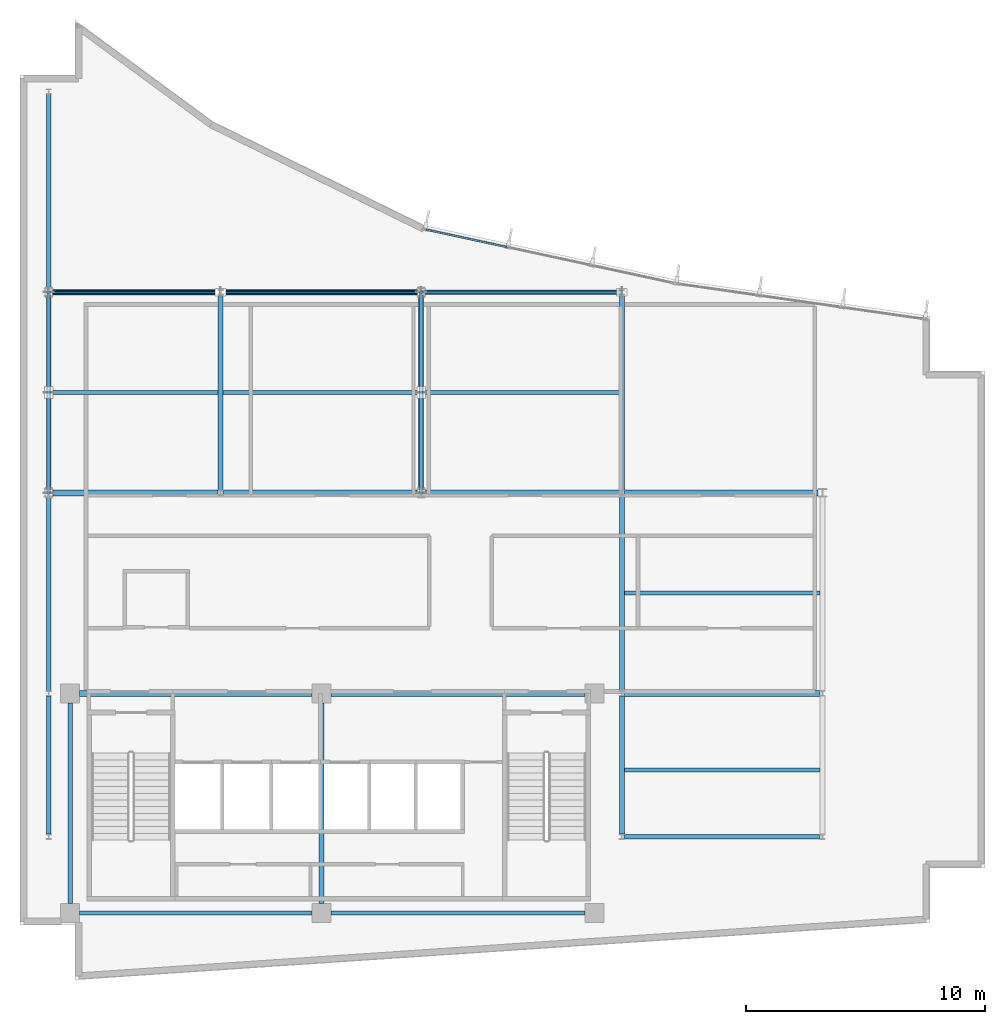
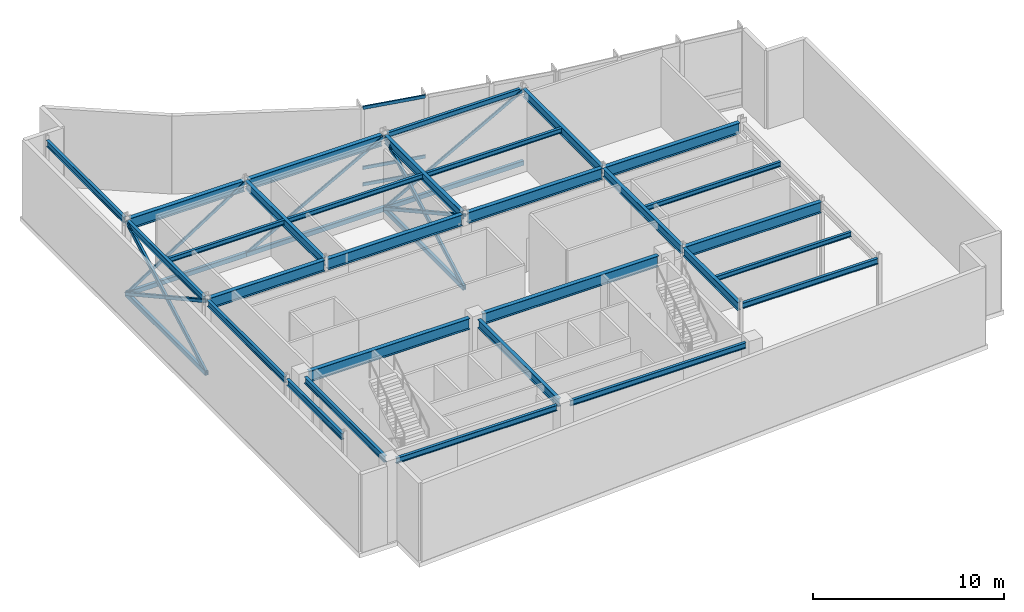
# One storey, part 5 of 14: 29 beams, 17 members, 1 element without a shape of its own.
"""IFC4 building model written with IfcOpenShell, lengths in metres."""

from ifc_helpers import new_model, si_unit, direction, frame, origin, origin_2d, place, context, subcontext, project, spatial, hollow_rectangle, i_section, extrude, material, layer, layer_set, material_profile, profile_set, type_object, element, aggregate, save


model = new_model("IFC4")

# Units and contexts
model_context = context("Model", 3, precision=1e-05, world=origin(), true_north=direction((0.0, 1.0)))
body_context = subcontext(model_context, "Body", "Model", "MODEL_VIEW")
ifc_project = project(units=[si_unit("LENGTHUNIT", "METRE"), si_unit("AREAUNIT", "SQUARE_METRE"), si_unit("VOLUMEUNIT", "CUBIC_METRE"), si_unit("PLANEANGLEUNIT", "RADIAN"), si_unit("MASSUNIT", "GRAM", prefix="KILO")], contexts=[model_context])

# Site, building, storey
site_placement = place(None, origin())
site = spatial("IfcSite", under=ifc_project, at=site_placement, CompositionType="ELEMENT")
building_placement = place(site_placement, origin())
building = spatial("IfcBuilding", under=site, at=building_placement, Name="Varnakote Quay Hospital", CompositionType="ELEMENT")
storey_placement = place(building_placement, frame((0.0, 0.0, 303.949951171875)))
storey = spatial("IfcBuildingStorey", under=building, at=storey_placement, Name="L75", CompositionType="ELEMENT", Elevation=303.949951171875)

# Beams
ifc_material_1 = material(Name="Structural steel AS/NZS 3679.1 Grade 350 L0 (fy 340 MPa)", Category="steel")
ifc_material_profile_1 = material_profile(ifc_material_1, i_section(OverallWidth=0.208984375, OverallDepth=0.528076171875, WebThickness=0.009521484375, FlangeThickness=0.01318359375, FilletRadius=0.013916015625, at=origin_2d()), Name="530UB82.0")
ifc_profile_set_1 = profile_set([ifc_material_profile_1], Name="Structural steel AS/NZS 3679.1 Grade 350 L0 (fy 340 MPa)")
beam_type_1 = type_object("IfcBeamType", Name="BM-STL-530UB82-0", PredefinedType="BEAM", material=ifc_profile_set_1)
beam_1_placement = place(storey_placement, frame((8.39990234375, 20.5048828125, 4.72607421875), z_axis=(0.0, 1.0, 0.0), x_axis=(-1.0, 0.0, 0.0)))
element("IfcBeam", 1, at=beam_1_placement, inside=storey, type_object=beam_type_1, Name="L75 Primary Tie Beam", PredefinedType="BEAM", context=body_context, shape_type="SweptSolid", body=[
    extrude(i_section(OverallWidth=0.208984375, OverallDepth=0.528076171875, WebThickness=0.009521484375, FlangeThickness=0.01318359375, FilletRadius=0.013916015625, at=origin_2d()), origin(), (0.0, 0.0, 1.0), 8.190185546875),
])
beam_2_placement = place(storey_placement, frame((12.6201171875, 3.199951171875, 4.72607421875), z_axis=(0.0, 1.0, 0.0), x_axis=(-1.0, 0.0, 0.0)))
element("IfcBeam", 2, at=beam_2_placement, inside=storey, type_object=beam_type_1, Name="L75 Primary Tie Beam", PredefinedType="BEAM", context=body_context, shape_type="SweptSolid", body=[
    extrude(i_section(OverallWidth=0.208984375, OverallDepth=0.528076171875, WebThickness=0.009521484375, FlangeThickness=0.01318359375, FilletRadius=0.013916015625, at=origin_2d()), origin(), (0.0, 0.0, 1.0), 8.400146484375),
])
beam_3_placement = place(storey_placement, frame((16.800048828125, 20.570068359375, 4.72607421875), z_axis=(0.0, 1.0, 0.0), x_axis=(-1.0, 0.0, 0.0)))
element("IfcBeam", 3, at=beam_3_placement, inside=storey, type_object=beam_type_1, Name="L75 Primary Tie Beam", PredefinedType="BEAM", context=body_context, shape_type="SweptSolid", body=[
    extrude(i_section(OverallWidth=0.208984375, OverallDepth=0.528076171875, WebThickness=0.009521484375, FlangeThickness=0.01318359375, FilletRadius=0.013916015625, at=origin_2d()), origin(), (0.0, 0.0, 1.0), 8.059814453125),
])
beam_4_placement = place(storey_placement, frame((25.199951171875, 6.10498046875, 4.72607421875), z_axis=(0.0, 1.0, 0.0), x_axis=(-1.0, 0.0, 0.0)))
element("IfcBeam", 4, at=beam_4_placement, inside=storey, type_object=beam_type_1, Name="L75 Primary Tie Beam", PredefinedType="BEAM", context=body_context, shape_type="SweptSolid", body=[
    extrude(i_section(OverallWidth=0.208984375, OverallDepth=0.528076171875, WebThickness=0.009521484375, FlangeThickness=0.01318359375, FilletRadius=0.013916015625, at=origin_2d()), origin(), (0.0, 0.0, 1.0), 5.7900390625),
])
beam_5_placement = place(storey_placement, frame((25.199951171875, 12.10498046875, 4.72607421875), z_axis=(0.0, 1.0, 0.0), x_axis=(-1.0, 0.0, 0.0)))
element("IfcBeam", 5, at=beam_5_placement, inside=storey, type_object=beam_type_1, Name="L75 Primary Tie Beam", PredefinedType="BEAM", context=body_context, shape_type="SweptSolid", body=[
    extrude(i_section(OverallWidth=0.208984375, OverallDepth=0.528076171875, WebThickness=0.009521484375, FlangeThickness=0.01318359375, FilletRadius=0.013916015625, at=origin_2d()), origin(), (0.0, 0.0, 1.0), 8.18994140625),
])
beam_6_placement = place(storey_placement, frame((25.199951171875, 20.5048828125, 4.72607421875), z_axis=(0.0, 1.0, 0.0), x_axis=(-1.0, 0.0, 0.0)))
element("IfcBeam", 6, at=beam_6_placement, inside=storey, type_object=beam_type_1, Name="L75 Primary Tie Beam", PredefinedType="BEAM", context=body_context, shape_type="SweptSolid", body=[
    extrude(i_section(OverallWidth=0.208984375, OverallDepth=0.528076171875, WebThickness=0.009521484375, FlangeThickness=0.01318359375, FilletRadius=0.013916015625, at=origin_2d()), origin(), (0.0, 0.0, 1.0), 8.190185546875),
])
ifc_material_2 = material(Name="Structural steel AS/NZS 3678 Grade 350 (fy 340 MPa)", Category="steel")
ifc_material_profile_2 = material_profile(ifc_material_2, i_section(OverallWidth=0.25, OverallDepth=0.699951171875, WebThickness=0.010009765625, FlangeThickness=0.02001953125, at=origin_2d()), Name="700WB130")
ifc_profile_set_2 = profile_set([ifc_material_profile_2], Name="Structural steel AS/NZS 3678 Grade 350 (fy 340 MPa)")
beam_type_2 = type_object("IfcBeamType", Name="BM-STL-700WB130", PredefinedType="BEAM", material=ifc_profile_set_2)
beam_7_placement = place(storey_placement, frame((2.5, 12.0, 4.64013671875), z_axis=(1.0, 0.0, 0.0), x_axis=(0.0, 1.0, 0.0)))
element("IfcBeam", 7, at=beam_7_placement, inside=storey, type_object=beam_type_2, Name="L75 Primary Floor Beam", PredefinedType="BEAM", context=body_context, shape_type="SweptSolid", body=[
    extrude(i_section(OverallWidth=0.25, OverallDepth=0.699951171875, WebThickness=0.010009765625, FlangeThickness=0.02001953125, at=origin_2d()), origin(), (0.0, 0.0, 1.0), 9.719970703125),
])
beam_8_placement = place(storey_placement, frame((13.02001953125, 12.0, 4.64013671875), z_axis=(1.0, 0.0, 0.0), x_axis=(0.0, 1.0, 0.0)))
element("IfcBeam", 8, at=beam_8_placement, inside=storey, type_object=beam_type_2, Name="L75 Primary Floor Beam", PredefinedType="BEAM", context=body_context, shape_type="SweptSolid", body=[
    extrude(i_section(OverallWidth=0.25, OverallDepth=0.699951171875, WebThickness=0.010009765625, FlangeThickness=0.02001953125, at=origin_2d()), origin(), (0.0, 0.0, 1.0), 10.6298828125),
])
beam_9_placement = place(storey_placement, frame((25.302490234375, 12.0, 4.64013671875), z_axis=(1.0, 0.0, 0.0), x_axis=(0.0, 1.0, 0.0)))
element("IfcBeam", 9, at=beam_9_placement, inside=storey, type_object=beam_type_2, Name="L75 Primary Floor Beam", PredefinedType="BEAM", context=body_context, shape_type="SweptSolid", body=[
    extrude(i_section(OverallWidth=0.25, OverallDepth=0.699951171875, WebThickness=0.010009765625, FlangeThickness=0.02001953125, at=origin_2d()), origin(), (0.0, 0.0, 1.0), 8.195068359375),
])
beam_10_placement = place(storey_placement, frame((1.375, 20.39990234375, 4.64013671875), z_axis=(1.0, 0.0, 0.0), x_axis=(0.0, 1.0, 0.0)))
element("IfcBeam", 10, at=beam_10_placement, inside=storey, type_object=beam_type_2, Name="L75 Primary Floor Beam", PredefinedType="BEAM", context=body_context, shape_type="SweptSolid", body=[
    extrude(i_section(OverallWidth=0.25, OverallDepth=0.699951171875, WebThickness=0.010009765625, FlangeThickness=0.02001953125, at=origin_2d()), origin(), (0.0, 0.0, 1.0), 6.922607421875),
])
beam_11_placement = place(storey_placement, frame((8.50244140625, 20.39990234375, 4.64013671875), z_axis=(1.0, 0.0, 0.0), x_axis=(0.0, 1.0, 0.0)))
element("IfcBeam", 11, at=beam_11_placement, inside=storey, type_object=beam_type_2, Name="L75 Primary Floor Beam", PredefinedType="BEAM", context=body_context, shape_type="SweptSolid", body=[
    extrude(i_section(OverallWidth=0.25, OverallDepth=0.699951171875, WebThickness=0.010009765625, FlangeThickness=0.02001953125, at=origin_2d()), origin(), (0.0, 0.0, 1.0), 8.12255859375),
])
beam_12_placement = place(storey_placement, frame((16.97509765625, 20.39990234375, 4.64013671875), z_axis=(1.0, 0.0, 0.0), x_axis=(0.0, 1.0, 0.0)))
element("IfcBeam", 12, at=beam_12_placement, inside=storey, type_object=beam_type_2, Name="L75 Primary Floor Beam", PredefinedType="BEAM", context=body_context, shape_type="SweptSolid", body=[
    extrude(i_section(OverallWidth=0.25, OverallDepth=0.699951171875, WebThickness=0.010009765625, FlangeThickness=0.02001953125, at=origin_2d()), origin(), (0.0, 0.0, 1.0), 8.122314453125),
])
beam_13_placement = place(storey_placement, frame((25.302490234375, 20.39990234375, 4.64013671875), z_axis=(1.0, 0.0, 0.0), x_axis=(0.0, 1.0, 0.0)))
element("IfcBeam", 13, at=beam_13_placement, inside=storey, type_object=beam_type_2, Name="L75 Primary Floor Beam", PredefinedType="BEAM", context=body_context, shape_type="SweptSolid", body=[
    extrude(i_section(OverallWidth=0.25, OverallDepth=0.699951171875, WebThickness=0.010009765625, FlangeThickness=0.02001953125, at=origin_2d()), origin(), (0.0, 0.0, 1.0), 8.12255859375),
])
beam_14_placement = place(storey_placement, frame((1.375, 28.800048828125, 4.64013671875), z_axis=(1.0, 0.0, 0.0), x_axis=(0.0, 1.0, 0.0)))
element("IfcBeam", 14, at=beam_14_placement, inside=storey, type_object=beam_type_2, Name="L75 Primary Floor Beam", PredefinedType="BEAM", context=body_context, shape_type="SweptSolid", body=[
    extrude(i_section(OverallWidth=0.25, OverallDepth=0.699951171875, WebThickness=0.010009765625, FlangeThickness=0.02001953125, at=origin_2d()), origin(), (0.0, 0.0, 1.0), 6.922607421875),
])
beam_15_placement = place(storey_placement, frame((8.50244140625, 28.800048828125, 4.64013671875), z_axis=(1.0, 0.0, 0.0), x_axis=(0.0, 1.0, 0.0)))
element("IfcBeam", 15, at=beam_15_placement, inside=storey, type_object=beam_type_2, Name="L75 Primary Floor Beam", PredefinedType="BEAM", context=body_context, shape_type="SweptSolid", body=[
    extrude(i_section(OverallWidth=0.25, OverallDepth=0.699951171875, WebThickness=0.010009765625, FlangeThickness=0.02001953125, at=origin_2d()), origin(), (0.0, 0.0, 1.0), 8.12255859375),
])

# Curtain wall, members
ifc_material_3 = material(Name="Anodised aluminium 6063-T6 Bronze", Category="aluminium")
ifc_layer = layer(ifc_material_3, 0.25)
ifc_layer_set = layer_set([ifc_layer], Name="Anodised aluminium 6063-T6 Bronze")
curtain_wall_type = type_object("IfcCurtainWallType", Name="CW-SYS-6", PredefinedType="NOTDEFINED", material=ifc_layer_set)
curtain_wall_placement = place(storey_placement, origin())
curtain_wall = element("IfcCurtainWall", 16, at=curtain_wall_placement, inside=storey, type_object=curtain_wall_type, Name="L75 Unitised Bronze Curtain Wall 2", PredefinedType="NOTDEFINED")
ifc_material_4 = material(Name="Anodised aluminium 6063-T6 Bronze", Category="aluminium")
ifc_material_profile_3 = material_profile(ifc_material_4, hollow_rectangle(XDim=0.0849609375, YDim=0.2099609375, WallThickness=0.00439453125, InnerFilletRadius=0.00439453125, OuterFilletRadius=0.009033203125, at=origin_2d()), Name="CW-TRAN-210x85")
ifc_profile_set_3 = profile_set([ifc_material_profile_3], Name="Anodised aluminium 6063-T6 Bronze")
member_type_1 = type_object("IfcMemberType", Name="CW-TRAN-210x85", PredefinedType="USERDEFINED", material=ifc_profile_set_3)
member_1_placement = place(storey_placement, frame((20.383056640625, 30.689697265625, 0.04248046875), z_axis=(-0.977408655008, 0.211358276667, 0.0), x_axis=(-0.211358276667, -0.977408655008, 0.0)))
member_1 = element("IfcMember", 17, at=member_1_placement, type_object=member_type_1, Name="-6-L75-2 transom 3.1", ObjectType="TRANSOM", PredefinedType="USERDEFINED", context=body_context, shape_type="SweptSolid", body=[
    extrude(hollow_rectangle(XDim=0.0849609375, YDim=0.2099609375, WallThickness=0.00439453125, InnerFilletRadius=0.00439453125, OuterFilletRadius=0.009033203125, at=origin_2d()), origin(), (0.0, 0.0, 1.0), 3.462890625),
])
member_2_placement = place(storey_placement, frame((20.383056640625, 30.689697265625, 1.10009765625), z_axis=(-0.977408655008, 0.211358276667, 0.0), x_axis=(-0.211358276667, -0.977408655008, 0.0)))
member_2 = element("IfcMember", 18, at=member_2_placement, type_object=member_type_1, Name="-6-L75-2 transom 3.2", ObjectType="TRANSOM", PredefinedType="USERDEFINED", context=body_context, shape_type="SweptSolid", body=[
    extrude(hollow_rectangle(XDim=0.0849609375, YDim=0.2099609375, WallThickness=0.00439453125, InnerFilletRadius=0.00439453125, OuterFilletRadius=0.009033203125, at=origin_2d()), origin(), (0.0, 0.0, 1.0), 3.462890625),
])
member_3_placement = place(storey_placement, frame((20.383056640625, 30.689697265625, 4.947509765625), z_axis=(-0.977408655008, 0.211358276667, 0.0), x_axis=(-0.211358276667, -0.977408655008, 0.0)))
member_3 = element("IfcMember", 19, at=member_3_placement, type_object=member_type_1, Name="-6-L75-2 transom 3.3", ObjectType="TRANSOM", PredefinedType="USERDEFINED", context=body_context, shape_type="SweptSolid", body=[
    extrude(hollow_rectangle(XDim=0.0849609375, YDim=0.2099609375, WallThickness=0.00439453125, InnerFilletRadius=0.00439453125, OuterFilletRadius=0.009033203125, at=origin_2d()), origin(), (0.0, 0.0, 1.0), 3.462890625),
])
aggregate(curtain_wall, [member_1, member_2, member_3])

# Beams
ifc_material_5 = material(Name="Structural steel AS/NZS 3679.1 Grade 350 L0 (fy 340 MPa)", Category="steel")
ifc_material_profile_4 = material_profile(ifc_material_5, i_section(OverallWidth=0.1650390625, OverallDepth=0.303955078125, WebThickness=0.006103515625, FlangeThickness=0.01025390625, FilletRadius=0.011474609375, at=origin_2d()), Name="310UB40.4")
ifc_profile_set_4 = profile_set([ifc_material_profile_4], Name="Structural steel AS/NZS 3679.1 Grade 350 L0 (fy 340 MPa)")
beam_type_3 = type_object("IfcBeamType", Name="JST-STL-310UB40-4", PredefinedType="JOIST", material=ifc_profile_set_4)
for number, where, z_axis, x_axis, name in (
    (20, (25.304443359375, 8.800048828125, 4.838134765625), (1.0, 0.0, 0.0), (0.0, 1.0, 0.0), "L75 Composite Floor Joist"),
    (21, (25.304443359375, 16.199951171875, 4.838134765625), (1.0, 0.0, 0.0), (0.0, 1.0, 0.0), "L75 Composite Floor Joist"),
):
    element("IfcBeam", number, at=place(storey_placement, frame(where, z_axis=z_axis, x_axis=x_axis)), inside=storey, type_object=beam_type_3, Name=name, PredefinedType="JOIST", context=body_context, shape_type="SweptSolid", body=[
        extrude(i_section(OverallWidth=0.1650390625, OverallDepth=0.303955078125, WebThickness=0.006103515625, FlangeThickness=0.01025390625, FilletRadius=0.011474609375, at=origin_2d()), origin(), (0.0, 0.0, 1.0), 8.191162109375),
    ])
beam_16_placement = place(storey_placement, frame((1.2890625, 24.60009765625, 4.838134765625), z_axis=(1.0, 0.0, 0.0), x_axis=(0.0, 1.0, 0.0)))
element("IfcBeam", 22, at=beam_16_placement, inside=storey, type_object=beam_type_3, Name="L75 Composite Floor Joist", PredefinedType="JOIST", context=body_context, shape_type="SweptSolid", body=[
    extrude(i_section(OverallWidth=0.1650390625, OverallDepth=0.303955078125, WebThickness=0.006103515625, FlangeThickness=0.01025390625, FilletRadius=0.011474609375, at=origin_2d()), origin(), (0.0, 0.0, 1.0), 7.00634765625),
])
beam_17_placement = place(storey_placement, frame((8.50439453125, 24.60009765625, 4.838134765625), z_axis=(1.0, 0.0, 0.0), x_axis=(0.0, 1.0, 0.0)))
element("IfcBeam", 23, at=beam_17_placement, inside=storey, type_object=beam_type_3, Name="L75 Composite Floor Joist", PredefinedType="JOIST", context=body_context, shape_type="SweptSolid", body=[
    extrude(i_section(OverallWidth=0.1650390625, OverallDepth=0.303955078125, WebThickness=0.006103515625, FlangeThickness=0.01025390625, FilletRadius=0.011474609375, at=origin_2d()), origin(), (0.0, 0.0, 1.0), 8.191162109375),
])
beam_18_placement = place(storey_placement, frame((16.904541015625, 24.60009765625, 4.838134765625), z_axis=(1.0, 0.0, 0.0), x_axis=(0.0, 1.0, 0.0)))
element("IfcBeam", 24, at=beam_18_placement, inside=storey, type_object=beam_type_3, Name="L75 Composite Floor Joist", PredefinedType="JOIST", context=body_context, shape_type="SweptSolid", body=[
    extrude(i_section(OverallWidth=0.1650390625, OverallDepth=0.303955078125, WebThickness=0.006103515625, FlangeThickness=0.01025390625, FilletRadius=0.011474609375, at=origin_2d()), origin(), (0.0, 0.0, 1.0), 8.19091796875),
])

# Members
ifc_material_6 = material(Name="Structural steel AS/NZS 1163 Grade 350 C350L0 (fy 350 MPa)", Category="steel")
ifc_material_profile_5 = material_profile(ifc_material_6, hollow_rectangle(XDim=0.10009765625, YDim=0.199951171875, WallThickness=0.008056640625, InnerFilletRadius=0.008056640625, OuterFilletRadius=0.01611328125, at=origin_2d()), Name="200x100x8.0RHS")
ifc_profile_set_5 = profile_set([ifc_material_profile_5], Name="Structural steel AS/NZS 1163 Grade 350 C350L0 (fy 350 MPa)")
member_type_2 = type_object("IfcMemberType", Name="MBR-BRC-200x100x8-0RHS", PredefinedType="BRACE", material=ifc_profile_set_5)
member_4_placement = place(storey_placement, frame((1.199951171875, 28.800048828125, 0.179931640625), z_axis=(0.841094139588, 0.0, 0.540888757834), x_axis=(0.0, 1.0, 0.0)))
element("IfcMember", 25, at=member_4_placement, inside=storey, type_object=member_type_2, Name="L75 Belt Truss Diagonal Brace", PredefinedType="BRACE", context=body_context, shape_type="SweptSolid", body=[
    extrude(hollow_rectangle(XDim=0.10009765625, YDim=0.199951171875, WallThickness=0.008056640625, InnerFilletRadius=0.008056640625, OuterFilletRadius=0.01611328125, at=origin_2d()), origin(), (0.0, 0.0, 1.0), 8.560302734375),
])
member_5_placement = place(storey_placement, frame((8.39990234375, 28.800048828125, 0.179931640625), z_axis=(0.875773257259, 0.0, 0.482722696658), x_axis=(0.0, 1.0, 0.0)))
element("IfcMember", 26, at=member_5_placement, inside=storey, type_object=member_type_2, Name="L75 Belt Truss Diagonal Brace", PredefinedType="BRACE", context=body_context, shape_type="SweptSolid", body=[
    extrude(hollow_rectangle(XDim=0.10009765625, YDim=0.199951171875, WallThickness=0.008056640625, InnerFilletRadius=0.008056640625, OuterFilletRadius=0.01611328125, at=origin_2d()), origin(), (0.0, 0.0, 1.0), 9.591796875),
])
member_6_placement = place(storey_placement, frame((16.800048828125, 28.800048828125, 0.179931640625), z_axis=(0.875767325892, 0.0, 0.482733457407), x_axis=(0.0, 1.0, 0.0)))
element("IfcMember", 27, at=member_6_placement, inside=storey, type_object=member_type_2, Name="L75 Belt Truss Diagonal Brace", PredefinedType="BRACE", context=body_context, shape_type="SweptSolid", body=[
    extrude(hollow_rectangle(XDim=0.10009765625, YDim=0.199951171875, WallThickness=0.008056640625, InnerFilletRadius=0.008056640625, OuterFilletRadius=0.01611328125, at=origin_2d()), origin(), (0.0, 0.0, 1.0), 9.591552734375),
])
ifc_material_7 = material(Name="Structural steel AS/NZS 1163 Grade 350 C350L0 (fy 350 MPa)", Category="steel")
ifc_material_profile_6 = material_profile(ifc_material_7, hollow_rectangle(XDim=0.14990234375, YDim=0.25, WallThickness=0.009033203125, InnerFilletRadius=0.009033203125, OuterFilletRadius=0.01806640625, at=origin_2d()), Name="250x150x9.0RHS")
ifc_profile_set_6 = profile_set([ifc_material_profile_6], Name="Structural steel AS/NZS 1163 Grade 350 C350L0 (fy 350 MPa)")
member_type_3 = type_object("IfcMemberType", Name="MBR-BRC-250x150x9-0RHS", PredefinedType="BRACE", material=ifc_profile_set_6)
for number, where, z_axis, x_axis, name in (
    (28, (1.199951171875, 20.39990234375, 0.179931640625), (0.0, 0.875773257259, 0.482722696658), (-1.0, 0.0, 0.0), "L75 Outrigger Truss Continuous Primary Diagonal Brace"),
    (29, (16.800048828125, 20.39990234375, 0.179931640625), (0.0, 0.875773257259, 0.482722696658), (-1.0, 0.0, 0.0), "L75 Outrigger Truss Continuous Primary Diagonal Brace"),
):
    element("IfcMember", number, at=place(storey_placement, frame(where, z_axis=z_axis, x_axis=x_axis)), inside=storey, type_object=member_type_3, Name=name, PredefinedType="BRACE", context=body_context, shape_type="SweptSolid", body=[
        extrude(hollow_rectangle(XDim=0.14990234375, YDim=0.25, WallThickness=0.009033203125, InnerFilletRadius=0.009033203125, OuterFilletRadius=0.01806640625, at=origin_2d()), origin(), (0.0, 0.0, 1.0), 9.591796875),
    ])
ifc_material_8 = material(Name="Structural steel AS/NZS 1163 Grade 350 C350L0 (fy 350 MPa)", Category="steel")
ifc_material_profile_7 = material_profile(ifc_material_8, hollow_rectangle(XDim=0.199951171875, YDim=0.300048828125, WallThickness=0.010009765625, InnerFilletRadius=0.010009765625, OuterFilletRadius=0.02001953125, at=origin_2d()), Name="300x200x10.0RHS")
ifc_profile_set_7 = profile_set([ifc_material_profile_7], Name="Structural steel AS/NZS 1163 Grade 350 C350L0 (fy 350 MPa)")
member_type_4 = type_object("IfcMemberType", Name="MBR-CHD-300x200x10-0RHS", PredefinedType="CHORD", material=ifc_profile_set_7)
for number, where, z_axis, x_axis, name in (
    (30, (1.199951171875, 20.39990234375, 0.179931640625), (0.0, 1.0, 0.0), (-1.0, 0.0, 0.0), "L75 Outrigger Truss Bottom Chord"),
    (31, (16.800048828125, 20.39990234375, 0.179931640625), (0.0, 1.0, 0.0), (-1.0, 0.0, 0.0), "L75 Outrigger Truss Bottom Chord"),
):
    element("IfcMember", number, at=place(storey_placement, frame(where, z_axis=z_axis, x_axis=x_axis)), inside=storey, type_object=member_type_4, Name=name, PredefinedType="CHORD", context=body_context, shape_type="SweptSolid", body=[
        extrude(hollow_rectangle(XDim=0.199951171875, YDim=0.300048828125, WallThickness=0.010009765625, InnerFilletRadius=0.010009765625, OuterFilletRadius=0.02001953125, at=origin_2d()), origin(), (0.0, 0.0, 1.0), 8.400146484375),
    ])
member_7_placement = place(storey_placement, frame((1.199951171875, 28.800048828125, 0.179931640625), z_axis=(1.0, 0.0, 0.0), x_axis=(0.0, 1.0, 0.0)))
element("IfcMember", 32, at=member_7_placement, inside=storey, type_object=member_type_4, Name="L75 Belt Truss Bottom Chord", PredefinedType="CHORD", context=body_context, shape_type="SweptSolid", body=[
    extrude(hollow_rectangle(XDim=0.199951171875, YDim=0.300048828125, WallThickness=0.010009765625, InnerFilletRadius=0.010009765625, OuterFilletRadius=0.02001953125, at=origin_2d()), origin(), (0.0, 0.0, 1.0), 7.199951171875),
])
member_8_placement = place(storey_placement, frame((8.39990234375, 28.800048828125, 0.179931640625), z_axis=(1.0, 0.0, 0.0), x_axis=(0.0, 1.0, 0.0)))
element("IfcMember", 33, at=member_8_placement, inside=storey, type_object=member_type_4, Name="L75 Belt Truss Bottom Chord", PredefinedType="CHORD", context=body_context, shape_type="SweptSolid", body=[
    extrude(hollow_rectangle(XDim=0.199951171875, YDim=0.300048828125, WallThickness=0.010009765625, InnerFilletRadius=0.010009765625, OuterFilletRadius=0.02001953125, at=origin_2d()), origin(), (0.0, 0.0, 1.0), 8.400146484375),
])
member_9_placement = place(storey_placement, frame((16.800048828125, 28.800048828125, 0.179931640625), z_axis=(1.0, 0.0, 0.0), x_axis=(0.0, 1.0, 0.0)))
element("IfcMember", 34, at=member_9_placement, inside=storey, type_object=member_type_4, Name="L75 Belt Truss Bottom Chord", PredefinedType="CHORD", context=body_context, shape_type="SweptSolid", body=[
    extrude(hollow_rectangle(XDim=0.199951171875, YDim=0.300048828125, WallThickness=0.010009765625, InnerFilletRadius=0.010009765625, OuterFilletRadius=0.02001953125, at=origin_2d()), origin(), (0.0, 0.0, 1.0), 8.39990234375),
])
ifc_material_9 = material(Name="Structural steel AS/NZS 1163 Grade 350 C350L0 (fy 350 MPa)", Category="steel")
ifc_material_profile_8 = material_profile(ifc_material_9, hollow_rectangle(XDim=0.199951171875, YDim=0.199951171875, WallThickness=0.010009765625, InnerFilletRadius=0.010009765625, OuterFilletRadius=0.02001953125, at=origin_2d()), Name="200x200x10.0SHS")
ifc_profile_set_8 = profile_set([ifc_material_profile_8], Name="Structural steel AS/NZS 1163 Grade 350 C350L0 (fy 350 MPa)")
member_type_5 = type_object("IfcMemberType", Name="MBR-PST-200x200x10-0SHS", PredefinedType="POST", material=ifc_profile_set_8)
for number, where, z_axis, x_axis, name in (
    (35, (1.199951171875, 28.800048828125, 0.179931640625), (0.0, -0.875756564855, 0.482752979394), (1.0, 0.0, 0.0), "L75 Outrigger Truss Split Lower Counter Brace"),
    (36, (1.199951171875, 24.60009765625, 2.4951171875), (0.0, -0.875789948283, 0.482692413951), (1.0, 0.0, 0.0), "L75 Outrigger Truss Split Upper Counter Brace"),
    (37, (16.800048828125, 28.800048828125, 0.179931640625), (0.0, -0.875756564855, 0.482752979394), (1.0, 0.0, 0.0), "L75 Outrigger Truss Split Lower Counter Brace"),
    (38, (16.800048828125, 24.60009765625, 2.4951171875), (0.0, -0.875789948283, 0.482692413951), (1.0, 0.0, 0.0), "L75 Outrigger Truss Split Upper Counter Brace"),
):
    element("IfcMember", number, at=place(storey_placement, frame(where, z_axis=z_axis, x_axis=x_axis)), inside=storey, type_object=member_type_5, Name=name, PredefinedType="POST", context=body_context, shape_type="SweptSolid", body=[
        extrude(hollow_rectangle(XDim=0.199951171875, YDim=0.199951171875, WallThickness=0.010009765625, InnerFilletRadius=0.010009765625, OuterFilletRadius=0.02001953125, at=origin_2d()), origin(), (0.0, 0.0, 1.0), 4.7958984375),
    ])

# Beams
ifc_material_10 = material(Name="Structural steel AS/NZS 3679.1 Grade 350 L0 (fy 340 MPa)", Category="steel")
ifc_material_profile_9 = material_profile(ifc_material_10, i_section(OverallWidth=0.172119140625, OverallDepth=0.35888671875, WebThickness=0.008056640625, FlangeThickness=0.012939453125, FilletRadius=0.011474609375, at=origin_2d()), Name="360UB56.7")
ifc_profile_set_9 = profile_set([ifc_material_profile_9], Name="Structural steel AS/NZS 3679.1 Grade 350 L0 (fy 340 MPa)")
beam_type_4 = type_object("IfcBeamType", Name="SPN-STL-360UB56-7", PredefinedType="SPANDREL", material=ifc_profile_set_9)
beam_19_placement = place(storey_placement, frame((2.5, 2.800048828125, 4.810546875), z_axis=(1.0, 0.0, 0.0), x_axis=(0.0, 1.0, 0.0)))
element("IfcBeam", 39, at=beam_19_placement, inside=storey, type_object=beam_type_4, Name="L75 Perimeter Spandrel Beam", PredefinedType="SPANDREL", context=body_context, shape_type="SweptSolid", body=[
    extrude(i_section(OverallWidth=0.172119140625, OverallDepth=0.35888671875, WebThickness=0.008056640625, FlangeThickness=0.012939453125, FilletRadius=0.011474609375, at=origin_2d()), origin(), (0.0, 0.0, 1.0), 9.719970703125),
])
beam_20_placement = place(storey_placement, frame((13.02001953125, 2.800048828125, 4.810546875), z_axis=(1.0, 0.0, 0.0), x_axis=(0.0, 1.0, 0.0)))
element("IfcBeam", 40, at=beam_20_placement, inside=storey, type_object=beam_type_4, Name="L75 Perimeter Spandrel Beam", PredefinedType="SPANDREL", context=body_context, shape_type="SweptSolid", body=[
    extrude(i_section(OverallWidth=0.172119140625, OverallDepth=0.35888671875, WebThickness=0.008056640625, FlangeThickness=0.012939453125, FilletRadius=0.011474609375, at=origin_2d()), origin(), (0.0, 0.0, 1.0), 10.6298828125),
])
beam_21_placement = place(storey_placement, frame((25.302490234375, 6.0, 4.810546875), z_axis=(1.0, 0.0, 0.0), x_axis=(0.0, 1.0, 0.0)))
element("IfcBeam", 41, at=beam_21_placement, inside=storey, type_object=beam_type_4, Name="L75 Perimeter Spandrel Beam", PredefinedType="SPANDREL", context=body_context, shape_type="SweptSolid", body=[
    extrude(i_section(OverallWidth=0.172119140625, OverallDepth=0.35888671875, WebThickness=0.008056640625, FlangeThickness=0.012939453125, FilletRadius=0.011474609375, at=origin_2d()), origin(), (0.0, 0.0, 1.0), 8.195068359375),
])
beam_22_placement = place(storey_placement, frame((16.97509765625, 28.800048828125, 4.810546875), z_axis=(1.0, 0.0, 0.0), x_axis=(0.0, 1.0, 0.0)))
element("IfcBeam", 42, at=beam_22_placement, inside=storey, type_object=beam_type_4, Name="L75 Perimeter Spandrel Beam", PredefinedType="SPANDREL", context=body_context, shape_type="SweptSolid", body=[
    extrude(i_section(OverallWidth=0.172119140625, OverallDepth=0.35888671875, WebThickness=0.008056640625, FlangeThickness=0.012939453125, FilletRadius=0.011474609375, at=origin_2d()), origin(), (0.0, 0.0, 1.0), 8.122314453125),
])
ifc_material_11 = material(Name="Structural steel AS/NZS 3679.1 Grade 350 L0 (fy 340 MPa)", Category="steel")
ifc_material_profile_10 = material_profile(ifc_material_11, i_section(OverallWidth=0.177978515625, OverallDepth=0.403076171875, WebThickness=0.007568359375, FlangeThickness=0.010986328125, FilletRadius=0.011474609375, at=origin_2d()), Name="410UB53.7")
ifc_profile_set_10 = profile_set([ifc_material_profile_10], Name="Structural steel AS/NZS 3679.1 Grade 350 L0 (fy 340 MPa)")
beam_type_5 = type_object("IfcBeamType", Name="SPN-STL-410UB53-7", PredefinedType="SPANDREL", material=ifc_profile_set_10)
beam_23_placement = place(storey_placement, frame((1.199951171875, 6.10498046875, 4.78857421875), z_axis=(0.0, 1.0, 0.0), x_axis=(-1.0, 0.0, 0.0)))
element("IfcBeam", 43, at=beam_23_placement, inside=storey, type_object=beam_type_5, Name="L75 Perimeter Spandrel Beam", PredefinedType="SPANDREL", context=body_context, shape_type="SweptSolid", body=[
    extrude(i_section(OverallWidth=0.177978515625, OverallDepth=0.403076171875, WebThickness=0.007568359375, FlangeThickness=0.010986328125, FilletRadius=0.011474609375, at=origin_2d()), origin(), (0.0, 0.0, 1.0), 5.7900390625),
])
beam_24_placement = place(storey_placement, frame((1.199951171875, 12.10498046875, 4.78857421875), z_axis=(0.0, 1.0, 0.0), x_axis=(-1.0, 0.0, 0.0)))
element("IfcBeam", 44, at=beam_24_placement, inside=storey, type_object=beam_type_5, Name="L75 Perimeter Spandrel Beam", PredefinedType="SPANDREL", context=body_context, shape_type="SweptSolid", body=[
    extrude(i_section(OverallWidth=0.177978515625, OverallDepth=0.403076171875, WebThickness=0.007568359375, FlangeThickness=0.010986328125, FilletRadius=0.011474609375, at=origin_2d()), origin(), (0.0, 0.0, 1.0), 8.125),
])
beam_25_placement = place(storey_placement, frame((1.199951171875, 20.570068359375, 4.78857421875), z_axis=(0.0, 1.0, 0.0), x_axis=(-1.0, 0.0, 0.0)))
element("IfcBeam", 45, at=beam_25_placement, inside=storey, type_object=beam_type_5, Name="L75 Perimeter Spandrel Beam", PredefinedType="SPANDREL", context=body_context, shape_type="SweptSolid", body=[
    extrude(i_section(OverallWidth=0.177978515625, OverallDepth=0.403076171875, WebThickness=0.007568359375, FlangeThickness=0.010986328125, FilletRadius=0.011474609375, at=origin_2d()), origin(), (0.0, 0.0, 1.0), 8.059814453125),
])
beam_26_placement = place(storey_placement, frame((1.199951171875, 28.969970703125, 4.78857421875), z_axis=(0.0, 1.0, 0.0), x_axis=(-1.0, 0.0, 0.0)))
element("IfcBeam", 46, at=beam_26_placement, inside=storey, type_object=beam_type_5, Name="L75 Perimeter Spandrel Beam", PredefinedType="SPANDREL", context=body_context, shape_type="SweptSolid", body=[
    extrude(i_section(OverallWidth=0.177978515625, OverallDepth=0.403076171875, WebThickness=0.007568359375, FlangeThickness=0.010986328125, FilletRadius=0.011474609375, at=origin_2d()), origin(), (0.0, 0.0, 1.0), 8.125),
])
beam_27_placement = place(storey_placement, frame((2.10009765625, 3.199951171875, 4.78857421875), z_axis=(0.0, 1.0, 0.0), x_axis=(-1.0, 0.0, 0.0)))
element("IfcBeam", 47, at=beam_27_placement, inside=storey, type_object=beam_type_5, Name="L75 Perimeter Spandrel Beam", PredefinedType="SPANDREL", context=body_context, shape_type="SweptSolid", body=[
    extrude(i_section(OverallWidth=0.177978515625, OverallDepth=0.403076171875, WebThickness=0.007568359375, FlangeThickness=0.010986328125, FilletRadius=0.011474609375, at=origin_2d()), origin(), (0.0, 0.0, 1.0), 8.400146484375),
])

save(model, "model.ifc")
